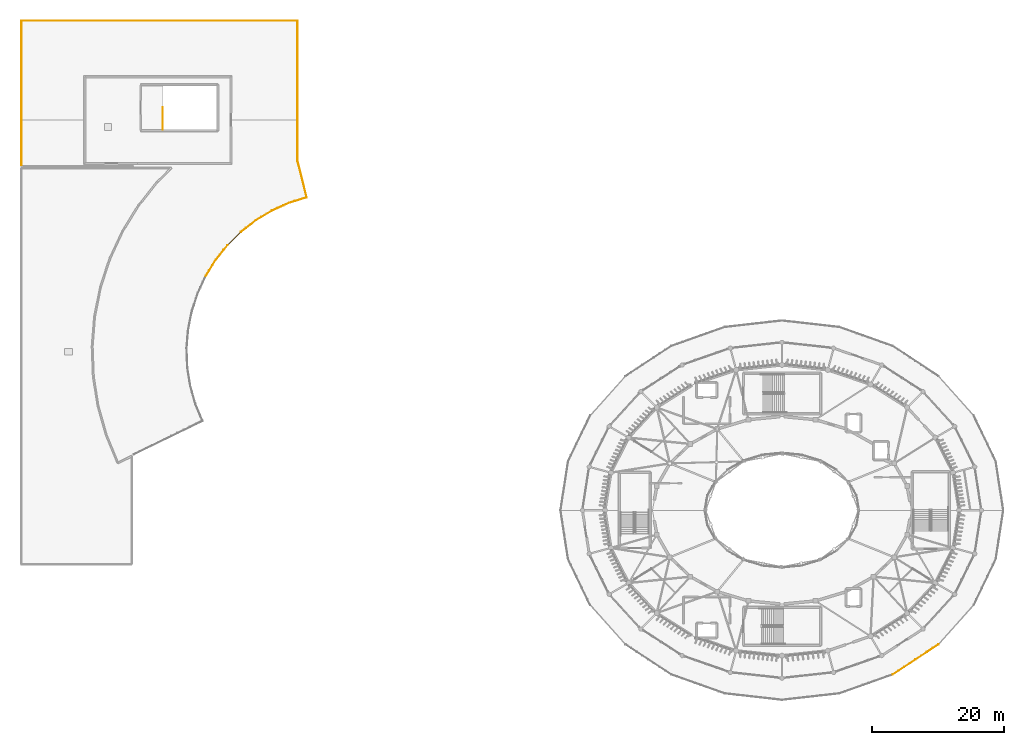
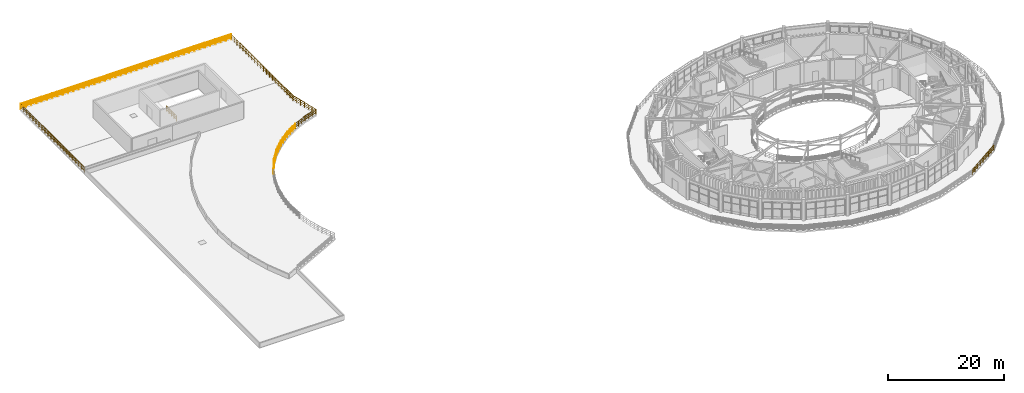
# One storey, part 43 of 45: 13 railings.
"""IFC4 building model written with IfcOpenShell, lengths in metres."""

from ifc_helpers import new_model, si_unit, direction, frame, origin, origin_2d, place, context, subcontext, project, spatial, circle, extrude, material, type_object, element, save


model = new_model("IFC4")

# Units and contexts
model_context = context("Model", 3, precision=1e-05, world=origin(), true_north=direction((0.0, 1.0)))
body_context = subcontext(model_context, "Body", "Model", "MODEL_VIEW")
ifc_project = project(units=[si_unit("LENGTHUNIT", "METRE"), si_unit("AREAUNIT", "SQUARE_METRE"), si_unit("VOLUMEUNIT", "CUBIC_METRE"), si_unit("PLANEANGLEUNIT", "RADIAN"), si_unit("MASSUNIT", "GRAM", prefix="KILO")], contexts=[model_context])

# Site, building, storey
site_placement = place(None, origin())
site = spatial("IfcSite", under=ifc_project, at=site_placement, CompositionType="ELEMENT")
building_placement = place(site_placement, origin())
building = spatial("IfcBuilding", under=site, at=building_placement, Name="Cinderbank Siding Concert Hall", CompositionType="ELEMENT")
storey_placement = place(building_placement, frame((0.0, 0.0, 19.199951171875)))
storey = spatial("IfcBuildingStorey", under=building, at=storey_placement, Name="L05", CompositionType="ELEMENT", Elevation=19.199951171875)

# Railings
ifc_material = material(Name="Structural steel AS/NZS 3679.1 Grade 350 (340 MPa)", Category="steel")
railing_type_1 = type_object("IfcRailingType", Name="GD-01 Terrace & Perimeter Guardrail 1120mm", PredefinedType="GUARDRAIL", material=ifc_material)
railing_1_placement = place(storey_placement, frame((145.693115234375, 23.711669921875, 0.0)))
element("IfcRailing", 1, at=railing_1_placement, inside=storey, type_object=railing_type_1, Name="L05 Perimeter Guardrail #110", PredefinedType="GUARDRAIL", context=body_context, shape_type="SweptSolid", body=[
    extrude(circle(Radius=0.02392578125, at=origin_2d()), frame((0.0, 0.0, 1.09619140625), z_axis=(-0.835498780088, -0.549492300649, 0.0), x_axis=(0.549492300649, -0.835498780088, 0.0)), (0.0, 0.0, 1.0), 8.303955078125),
    extrude(circle(Radius=0.01611328125, at=origin_2d()), frame((0.0, 0.0, 0.36962890625), z_axis=(-0.835498780088, -0.549492300649, 0.0), x_axis=(0.549492300649, -0.835498780088, 0.0)), (0.0, 0.0, 1.0), 8.303955078125),
    extrude(circle(Radius=0.01611328125, at=origin_2d()), frame((0.0, 0.0, 0.7392578125), z_axis=(-0.835498780088, -0.549492300649, 0.0), x_axis=(0.549492300649, -0.835498780088, 0.0)), (0.0, 0.0, 1.0), 8.303955078125),
    extrude(circle(Radius=0.02099609375, at=origin_2d()), origin(), (0.0, 0.0, 1.0), 1.072021484375),
    extrude(circle(Radius=0.02099609375, at=origin_2d()), frame((-0.8671875, -0.5703125, 0.0)), (0.0, 0.0, 1.0), 1.072021484375),
    extrude(circle(Radius=0.02099609375, at=origin_2d()), frame((-1.734375, -1.140625, 0.0)), (0.0, 0.0, 1.0), 1.072021484375),
    extrude(circle(Radius=0.02099609375, at=origin_2d()), frame((-2.601806640625, -1.711181640625, 0.0)), (0.0, 0.0, 1.0), 1.072021484375),
    extrude(circle(Radius=0.02099609375, at=origin_2d()), frame((-3.468994140625, -2.281494140625, 0.0)), (0.0, 0.0, 1.0), 1.072021484375),
    extrude(circle(Radius=0.02099609375, at=origin_2d()), frame((-4.336181640625, -2.851806640625, 0.0)), (0.0, 0.0, 1.0), 1.072021484375),
    extrude(circle(Radius=0.02099609375, at=origin_2d()), frame((-5.20361328125, -3.42236328125, 0.0)), (0.0, 0.0, 1.0), 1.072021484375),
    extrude(circle(Radius=0.02099609375, at=origin_2d()), frame((-6.07080078125, -3.99267578125, 0.0)), (0.0, 0.0, 1.0), 1.072021484375),
    extrude(circle(Radius=0.02099609375, at=origin_2d()), frame((-6.93798828125, -4.56298828125, 0.0)), (0.0, 0.0, 1.0), 1.072021484375),
])
railing_2_placement = place(storey_placement, frame((6.89990234375, 118.10009765625, 0.0)))
element("IfcRailing", 2, at=railing_2_placement, inside=storey, type_object=railing_type_1, Name="L05 Perimeter Guardrail #119", PredefinedType="GUARDRAIL", context=body_context, shape_type="SweptSolid", body=[
    extrude(circle(Radius=0.02392578125, at=origin_2d()), frame((0.0, 0.0, 1.09619140625), z_axis=(1.0, 0.0, 0.0), x_axis=(0.0, 1.0, 0.0)), (0.0, 0.0, 1.0), 41.800048828125),
    extrude(circle(Radius=0.01611328125, at=origin_2d()), frame((0.0, 0.0, 0.36962890625), z_axis=(1.0, 0.0, 0.0), x_axis=(0.0, 1.0, 0.0)), (0.0, 0.0, 1.0), 41.800048828125),
    extrude(circle(Radius=0.01611328125, at=origin_2d()), frame((0.0, 0.0, 0.7392578125), z_axis=(1.0, 0.0, 0.0), x_axis=(0.0, 1.0, 0.0)), (0.0, 0.0, 1.0), 41.800048828125),
    extrude(circle(Radius=0.02099609375, at=origin_2d()), origin(), (0.0, 0.0, 1.0), 1.072021484375),
    extrude(circle(Radius=0.02099609375, at=origin_2d()), frame((1.044921875, 0.0, 0.0)), (0.0, 0.0, 1.0), 1.072021484375),
    extrude(circle(Radius=0.02099609375, at=origin_2d()), frame((2.090087890625, 0.0, 0.0)), (0.0, 0.0, 1.0), 1.072021484375),
    extrude(circle(Radius=0.02099609375, at=origin_2d()), frame((3.135009765625, 0.0, 0.0)), (0.0, 0.0, 1.0), 1.072021484375),
    extrude(circle(Radius=0.02099609375, at=origin_2d()), frame((4.179931640625, 0.0, 0.0)), (0.0, 0.0, 1.0), 1.072021484375),
    extrude(circle(Radius=0.02099609375, at=origin_2d()), frame((5.22509765625, 0.0, 0.0)), (0.0, 0.0, 1.0), 1.072021484375),
    extrude(circle(Radius=0.02099609375, at=origin_2d()), frame((6.27001953125, 0.0, 0.0)), (0.0, 0.0, 1.0), 1.072021484375),
    extrude(circle(Radius=0.02099609375, at=origin_2d()), frame((7.31494140625, 0.0, 0.0)), (0.0, 0.0, 1.0), 1.072021484375),
    extrude(circle(Radius=0.02099609375, at=origin_2d()), frame((8.360107421875, 0.0, 0.0)), (0.0, 0.0, 1.0), 1.072021484375),
    extrude(circle(Radius=0.02099609375, at=origin_2d()), frame((9.405029296875, 0.0, 0.0)), (0.0, 0.0, 1.0), 1.072021484375),
    extrude(circle(Radius=0.02099609375, at=origin_2d()), frame((10.449951171875, 0.0, 0.0)), (0.0, 0.0, 1.0), 1.072021484375),
    extrude(circle(Radius=0.02099609375, at=origin_2d()), frame((11.4951171875, 0.0, 0.0)), (0.0, 0.0, 1.0), 1.072021484375),
    extrude(circle(Radius=0.02099609375, at=origin_2d()), frame((12.5400390625, 0.0, 0.0)), (0.0, 0.0, 1.0), 1.072021484375),
    extrude(circle(Radius=0.02099609375, at=origin_2d()), frame((13.5849609375, 0.0, 0.0)), (0.0, 0.0, 1.0), 1.072021484375),
    extrude(circle(Radius=0.02099609375, at=origin_2d()), frame((14.630126953125, 0.0, 0.0)), (0.0, 0.0, 1.0), 1.072021484375),
    extrude(circle(Radius=0.02099609375, at=origin_2d()), frame((15.675048828125, 0.0, 0.0)), (0.0, 0.0, 1.0), 1.072021484375),
    extrude(circle(Radius=0.02099609375, at=origin_2d()), frame((16.719970703125, 0.0, 0.0)), (0.0, 0.0, 1.0), 1.072021484375),
    extrude(circle(Radius=0.02099609375, at=origin_2d()), frame((17.76513671875, 0.0, 0.0)), (0.0, 0.0, 1.0), 1.072021484375),
    extrude(circle(Radius=0.02099609375, at=origin_2d()), frame((18.81005859375, 0.0, 0.0)), (0.0, 0.0, 1.0), 1.072021484375),
    extrude(circle(Radius=0.02099609375, at=origin_2d()), frame((19.85498046875, 0.0, 0.0)), (0.0, 0.0, 1.0), 1.072021484375),
    extrude(circle(Radius=0.02099609375, at=origin_2d()), frame((20.89990234375, 0.0, 0.0)), (0.0, 0.0, 1.0), 1.072021484375),
    extrude(circle(Radius=0.02099609375, at=origin_2d()), frame((21.945068359375, 0.0, 0.0)), (0.0, 0.0, 1.0), 1.072021484375),
    extrude(circle(Radius=0.02099609375, at=origin_2d()), frame((22.989990234375, 0.0, 0.0)), (0.0, 0.0, 1.0), 1.072021484375),
    extrude(circle(Radius=0.02099609375, at=origin_2d()), frame((24.034912109375, 0.0, 0.0)), (0.0, 0.0, 1.0), 1.072021484375),
    extrude(circle(Radius=0.02099609375, at=origin_2d()), frame((25.080078125, 0.0, 0.0)), (0.0, 0.0, 1.0), 1.072021484375),
    extrude(circle(Radius=0.02099609375, at=origin_2d()), frame((26.125, 0.0, 0.0)), (0.0, 0.0, 1.0), 1.072021484375),
    extrude(circle(Radius=0.02099609375, at=origin_2d()), frame((27.169921875, 0.0, 0.0)), (0.0, 0.0, 1.0), 1.072021484375),
    extrude(circle(Radius=0.02099609375, at=origin_2d()), frame((28.215087890625, 0.0, 0.0)), (0.0, 0.0, 1.0), 1.072021484375),
    extrude(circle(Radius=0.02099609375, at=origin_2d()), frame((29.260009765625, 0.0, 0.0)), (0.0, 0.0, 1.0), 1.072021484375),
    extrude(circle(Radius=0.02099609375, at=origin_2d()), frame((30.304931640625, 0.0, 0.0)), (0.0, 0.0, 1.0), 1.072021484375),
    extrude(circle(Radius=0.02099609375, at=origin_2d()), frame((31.35009765625, 0.0, 0.0)), (0.0, 0.0, 1.0), 1.072021484375),
    extrude(circle(Radius=0.02099609375, at=origin_2d()), frame((32.39501953125, 0.0, 0.0)), (0.0, 0.0, 1.0), 1.072021484375),
    extrude(circle(Radius=0.02099609375, at=origin_2d()), frame((33.43994140625, 0.0, 0.0)), (0.0, 0.0, 1.0), 1.072021484375),
    extrude(circle(Radius=0.02099609375, at=origin_2d()), frame((34.485107421875, 0.0, 0.0)), (0.0, 0.0, 1.0), 1.072021484375),
    extrude(circle(Radius=0.02099609375, at=origin_2d()), frame((35.530029296875, 0.0, 0.0)), (0.0, 0.0, 1.0), 1.072021484375),
    extrude(circle(Radius=0.02099609375, at=origin_2d()), frame((36.574951171875, 0.0, 0.0)), (0.0, 0.0, 1.0), 1.072021484375),
    extrude(circle(Radius=0.02099609375, at=origin_2d()), frame((37.6201171875, 0.0, 0.0)), (0.0, 0.0, 1.0), 1.072021484375),
    extrude(circle(Radius=0.02099609375, at=origin_2d()), frame((38.6650390625, 0.0, 0.0)), (0.0, 0.0, 1.0), 1.072021484375),
    extrude(circle(Radius=0.02099609375, at=origin_2d()), frame((39.7099609375, 0.0, 0.0)), (0.0, 0.0, 1.0), 1.072021484375),
    extrude(circle(Radius=0.02099609375, at=origin_2d()), frame((40.755126953125, 0.0, 0.0)), (0.0, 0.0, 1.0), 1.072021484375),
    extrude(circle(Radius=0.02099609375, at=origin_2d()), frame((41.800048828125, 0.0, 0.0)), (0.0, 0.0, 1.0), 1.072021484375),
])
railing_3_placement = place(storey_placement, frame((48.699951171875, 118.10009765625, 0.0)))
element("IfcRailing", 3, at=railing_3_placement, inside=storey, type_object=railing_type_1, Name="L05 Perimeter Guardrail #120", PredefinedType="GUARDRAIL", context=body_context, shape_type="SweptSolid", body=[
    extrude(circle(Radius=0.02392578125, at=origin_2d()), frame((0.0, 0.0, 1.09619140625), z_axis=(0.0, -1.0, 0.0), x_axis=(1.0, 0.0, 0.0)), (0.0, 0.0, 1.0), 21.234619140625),
    extrude(circle(Radius=0.01611328125, at=origin_2d()), frame((0.0, 0.0, 0.36962890625), z_axis=(0.0, -1.0, 0.0), x_axis=(1.0, 0.0, 0.0)), (0.0, 0.0, 1.0), 21.234619140625),
    extrude(circle(Radius=0.01611328125, at=origin_2d()), frame((0.0, 0.0, 0.7392578125), z_axis=(0.0, -1.0, 0.0), x_axis=(1.0, 0.0, 0.0)), (0.0, 0.0, 1.0), 21.234619140625),
    extrude(circle(Radius=0.02099609375, at=origin_2d()), origin(), (0.0, 0.0, 1.0), 1.072021484375),
    extrude(circle(Radius=0.02099609375, at=origin_2d()), frame((0.0, -1.01123046875, 0.0)), (0.0, 0.0, 1.0), 1.072021484375),
    extrude(circle(Radius=0.02099609375, at=origin_2d()), frame((0.0, -2.0224609375, 0.0)), (0.0, 0.0, 1.0), 1.072021484375),
    extrude(circle(Radius=0.02099609375, at=origin_2d()), frame((0.0, -3.033447265625, 0.0)), (0.0, 0.0, 1.0), 1.072021484375),
    extrude(circle(Radius=0.02099609375, at=origin_2d()), frame((0.0, -4.044677734375, 0.0)), (0.0, 0.0, 1.0), 1.072021484375),
    extrude(circle(Radius=0.02099609375, at=origin_2d()), frame((0.0, -5.055908203125, 0.0)), (0.0, 0.0, 1.0), 1.072021484375),
    extrude(circle(Radius=0.02099609375, at=origin_2d()), frame((0.0, -6.067138671875, 0.0)), (0.0, 0.0, 1.0), 1.072021484375),
    extrude(circle(Radius=0.02099609375, at=origin_2d()), frame((0.0, -7.078125, 0.0)), (0.0, 0.0, 1.0), 1.072021484375),
    extrude(circle(Radius=0.02099609375, at=origin_2d()), frame((0.0, -8.08935546875, 0.0)), (0.0, 0.0, 1.0), 1.072021484375),
    extrude(circle(Radius=0.02099609375, at=origin_2d()), frame((0.0, -9.1005859375, 0.0)), (0.0, 0.0, 1.0), 1.072021484375),
    extrude(circle(Radius=0.02099609375, at=origin_2d()), frame((0.0, -10.11181640625, 0.0)), (0.0, 0.0, 1.0), 1.072021484375),
    extrude(circle(Radius=0.02099609375, at=origin_2d()), frame((0.0, -11.122802734375, 0.0)), (0.0, 0.0, 1.0), 1.072021484375),
    extrude(circle(Radius=0.02099609375, at=origin_2d()), frame((0.0, -12.134033203125, 0.0)), (0.0, 0.0, 1.0), 1.072021484375),
    extrude(circle(Radius=0.02099609375, at=origin_2d()), frame((0.0, -13.145263671875, 0.0)), (0.0, 0.0, 1.0), 1.072021484375),
    extrude(circle(Radius=0.02099609375, at=origin_2d()), frame((0.0, -14.156494140625, 0.0)), (0.0, 0.0, 1.0), 1.072021484375),
    extrude(circle(Radius=0.02099609375, at=origin_2d()), frame((0.0, -15.16748046875, 0.0)), (0.0, 0.0, 1.0), 1.072021484375),
    extrude(circle(Radius=0.02099609375, at=origin_2d()), frame((0.0, -16.1787109375, 0.0)), (0.0, 0.0, 1.0), 1.072021484375),
    extrude(circle(Radius=0.02099609375, at=origin_2d()), frame((0.0, -17.18994140625, 0.0)), (0.0, 0.0, 1.0), 1.072021484375),
    extrude(circle(Radius=0.02099609375, at=origin_2d()), frame((0.0, -18.201171875, 0.0)), (0.0, 0.0, 1.0), 1.072021484375),
    extrude(circle(Radius=0.02099609375, at=origin_2d()), frame((0.0, -19.212158203125, 0.0)), (0.0, 0.0, 1.0), 1.072021484375),
    extrude(circle(Radius=0.02099609375, at=origin_2d()), frame((0.0, -20.223388671875, 0.0)), (0.0, 0.0, 1.0), 1.072021484375),
    extrude(circle(Radius=0.02099609375, at=origin_2d()), frame((0.0, -21.234619140625, 0.0)), (0.0, 0.0, 1.0), 1.072021484375),
])
railing_4_placement = place(storey_placement, frame((48.699951171875, 96.865478515625, 0.0)))
element("IfcRailing", 4, at=railing_4_placement, inside=storey, type_object=railing_type_1, Name="L05 Perimeter Guardrail #121", PredefinedType="GUARDRAIL", context=body_context, shape_type="SweptSolid", body=[
    extrude(circle(Radius=0.02392578125, at=origin_2d()), frame((0.0, 0.0, 1.09619140625), z_axis=(0.241948994779, -0.97028896929, 0.0), x_axis=(0.97028896929, 0.241948994779, 0.0)), (0.0, 0.0, 1.0), 5.679931640625),
    extrude(circle(Radius=0.01611328125, at=origin_2d()), frame((0.0, 0.0, 0.36962890625), z_axis=(0.241948994779, -0.97028896929, 0.0), x_axis=(0.97028896929, 0.241948994779, 0.0)), (0.0, 0.0, 1.0), 5.679931640625),
    extrude(circle(Radius=0.01611328125, at=origin_2d()), frame((0.0, 0.0, 0.7392578125), z_axis=(0.241948994779, -0.97028896929, 0.0), x_axis=(0.97028896929, 0.241948994779, 0.0)), (0.0, 0.0, 1.0), 5.679931640625),
    extrude(circle(Radius=0.02099609375, at=origin_2d()), origin(), (0.0, 0.0, 1.0), 1.072021484375),
    extrude(circle(Radius=0.02099609375, at=origin_2d()), frame((0.22900390625, -0.91845703125, 0.0)), (0.0, 0.0, 1.0), 1.072021484375),
    extrude(circle(Radius=0.02099609375, at=origin_2d()), frame((0.4580078125, -1.837158203125, 0.0)), (0.0, 0.0, 1.0), 1.072021484375),
    extrude(circle(Radius=0.02099609375, at=origin_2d()), frame((0.68701171875, -2.755615234375, 0.0)), (0.0, 0.0, 1.0), 1.072021484375),
    extrude(circle(Radius=0.02099609375, at=origin_2d()), frame((0.916259765625, -3.674072265625, 0.0)), (0.0, 0.0, 1.0), 1.072021484375),
    extrude(circle(Radius=0.02099609375, at=origin_2d()), frame((1.145263671875, -4.5927734375, 0.0)), (0.0, 0.0, 1.0), 1.072021484375),
    extrude(circle(Radius=0.02099609375, at=origin_2d()), frame((1.374267578125, -5.51123046875, 0.0)), (0.0, 0.0, 1.0), 1.072021484375),
])
railing_5_placement = place(storey_placement, frame((50.07421875, 91.354248046875, 0.0)))
element("IfcRailing", 5, at=railing_5_placement, inside=storey, type_object=railing_type_1, Name="L05 Perimeter Guardrail #122", PredefinedType="GUARDRAIL", context=body_context, shape_type="SweptSolid", body=[
    extrude(circle(Radius=0.02392578125, at=origin_2d()), frame((0.0, 0.0, 1.09619140625), z_axis=(-0.954237145986, -0.299050947532, 0.0), x_axis=(0.299050947532, -0.954237145986, 0.0)), (0.0, 0.0, 1.0), 2.758544921875),
    extrude(circle(Radius=0.01611328125, at=origin_2d()), frame((0.0, 0.0, 0.36962890625), z_axis=(-0.954237145986, -0.299050947532, 0.0), x_axis=(0.299050947532, -0.954237145986, 0.0)), (0.0, 0.0, 1.0), 2.758544921875),
    extrude(circle(Radius=0.01611328125, at=origin_2d()), frame((0.0, 0.0, 0.7392578125), z_axis=(-0.954237145986, -0.299050947532, 0.0), x_axis=(0.299050947532, -0.954237145986, 0.0)), (0.0, 0.0, 1.0), 2.758544921875),
    extrude(circle(Radius=0.02099609375, at=origin_2d()), origin(), (0.0, 0.0, 1.0), 1.072021484375),
    extrude(circle(Radius=0.02099609375, at=origin_2d()), frame((-0.87744140625, -0.27490234375, 0.0)), (0.0, 0.0, 1.0), 1.072021484375),
    extrude(circle(Radius=0.02099609375, at=origin_2d()), frame((-1.7548828125, -0.550048828125, 0.0)), (0.0, 0.0, 1.0), 1.072021484375),
    extrude(circle(Radius=0.02099609375, at=origin_2d()), frame((-2.63232421875, -0.824951171875, 0.0)), (0.0, 0.0, 1.0), 1.072021484375),
])
railing_6_placement = place(storey_placement, frame((47.44189453125, 90.529296875, 0.0)))
element("IfcRailing", 6, at=railing_6_placement, inside=storey, type_object=railing_type_1, Name="L05 Perimeter Guardrail #123", PredefinedType="GUARDRAIL", context=body_context, shape_type="SweptSolid", body=[
    extrude(circle(Radius=0.02392578125, at=origin_2d()), frame((0.0, 0.0, 1.09619140625), z_axis=(-0.912145096517, -0.409867445523, 0.0), x_axis=(0.409867445523, -0.912145096517, 0.0)), (0.0, 0.0, 1.0), 2.858642578125),
    extrude(circle(Radius=0.01611328125, at=origin_2d()), frame((0.0, 0.0, 0.36962890625), z_axis=(-0.912145096517, -0.409867445523, 0.0), x_axis=(0.409867445523, -0.912145096517, 0.0)), (0.0, 0.0, 1.0), 2.858642578125),
    extrude(circle(Radius=0.01611328125, at=origin_2d()), frame((0.0, 0.0, 0.7392578125), z_axis=(-0.912145096517, -0.409867445523, 0.0), x_axis=(0.409867445523, -0.912145096517, 0.0)), (0.0, 0.0, 1.0), 2.858642578125),
    extrude(circle(Radius=0.02099609375, at=origin_2d()), origin(), (0.0, 0.0, 1.0), 1.072021484375),
    extrude(circle(Radius=0.02099609375, at=origin_2d()), frame((-0.869140625, -0.390625, 0.0)), (0.0, 0.0, 1.0), 1.072021484375),
    extrude(circle(Radius=0.02099609375, at=origin_2d()), frame((-1.73828125, -0.781005859375, 0.0)), (0.0, 0.0, 1.0), 1.072021484375),
    extrude(circle(Radius=0.02099609375, at=origin_2d()), frame((-2.607421875, -1.171630859375, 0.0)), (0.0, 0.0, 1.0), 1.072021484375),
])
railing_7_placement = place(storey_placement, frame((44.83447265625, 89.357666015625, 0.0)))
element("IfcRailing", 7, at=railing_7_placement, inside=storey, type_object=railing_type_1, Name="L05 Perimeter Guardrail #124", PredefinedType="GUARDRAIL", context=body_context, shape_type="SweptSolid", body=[
    extrude(circle(Radius=0.02392578125, at=origin_2d()), frame((0.0, 0.0, 1.09619140625), z_axis=(-0.857176243483, -0.515023191331, 0.0), x_axis=(0.515023191331, -0.857176243483, 0.0)), (0.0, 0.0, 1.0), 2.8583984375),
    extrude(circle(Radius=0.01611328125, at=origin_2d()), frame((0.0, 0.0, 0.36962890625), z_axis=(-0.857176243483, -0.515023191331, 0.0), x_axis=(0.515023191331, -0.857176243483, 0.0)), (0.0, 0.0, 1.0), 2.8583984375),
    extrude(circle(Radius=0.01611328125, at=origin_2d()), frame((0.0, 0.0, 0.7392578125), z_axis=(-0.857176243483, -0.515023191331, 0.0), x_axis=(0.515023191331, -0.857176243483, 0.0)), (0.0, 0.0, 1.0), 2.8583984375),
    extrude(circle(Radius=0.02099609375, at=origin_2d()), origin(), (0.0, 0.0, 1.0), 1.072021484375),
    extrude(circle(Radius=0.02099609375, at=origin_2d()), frame((-0.816650390625, -0.49072265625, 0.0)), (0.0, 0.0, 1.0), 1.072021484375),
    extrude(circle(Radius=0.02099609375, at=origin_2d()), frame((-1.633544921875, -0.9814453125, 0.0)), (0.0, 0.0, 1.0), 1.072021484375),
    extrude(circle(Radius=0.02099609375, at=origin_2d()), frame((-2.4501953125, -1.47216796875, 0.0)), (0.0, 0.0, 1.0), 1.072021484375),
])
railing_8_placement = place(storey_placement, frame((42.38427734375, 87.885498046875, 0.0)))
element("IfcRailing", 8, at=railing_8_placement, inside=storey, type_object=railing_type_1, Name="L05 Perimeter Guardrail #125", PredefinedType="GUARDRAIL", context=body_context, shape_type="SweptSolid", body=[
    extrude(circle(Radius=0.02392578125, at=origin_2d()), frame((0.0, 0.0, 1.09619140625), z_axis=(-0.790137923864, -0.612929083395, 0.0), x_axis=(0.612929083395, -0.790137923864, 0.0)), (0.0, 0.0, 1.0), 2.858642578125),
    extrude(circle(Radius=0.01611328125, at=origin_2d()), frame((0.0, 0.0, 0.36962890625), z_axis=(-0.790137923864, -0.612929083395, 0.0), x_axis=(0.612929083395, -0.790137923864, 0.0)), (0.0, 0.0, 1.0), 2.858642578125),
    extrude(circle(Radius=0.01611328125, at=origin_2d()), frame((0.0, 0.0, 0.7392578125), z_axis=(-0.790137923864, -0.612929083395, 0.0), x_axis=(0.612929083395, -0.790137923864, 0.0)), (0.0, 0.0, 1.0), 2.858642578125),
    extrude(circle(Radius=0.02099609375, at=origin_2d()), origin(), (0.0, 0.0, 1.0), 1.072021484375),
    extrude(circle(Radius=0.02099609375, at=origin_2d()), frame((-0.7529296875, -0.583984375, 0.0)), (0.0, 0.0, 1.0), 1.072021484375),
    extrude(circle(Radius=0.02099609375, at=origin_2d()), frame((-1.505859375, -1.168212890625, 0.0)), (0.0, 0.0, 1.0), 1.072021484375),
    extrude(circle(Radius=0.02099609375, at=origin_2d()), frame((-2.2587890625, -1.752197265625, 0.0)), (0.0, 0.0, 1.0), 1.072021484375),
])
railing_9_placement = place(storey_placement, frame((40.12548828125, 86.13330078125, 0.0)))
element("IfcRailing", 9, at=railing_9_placement, inside=storey, type_object=railing_type_1, Name="L05 Perimeter Guardrail #126", PredefinedType="GUARDRAIL", context=body_context, shape_type="SweptSolid", body=[
    extrude(circle(Radius=0.02392578125, at=origin_2d()), frame((0.0, 0.0, 1.09619140625), z_axis=(-0.712043069762, -0.702135789434, 0.0), x_axis=(0.702135789434, -0.712043069762, 0.0)), (0.0, 0.0, 1.0), 2.858642578125),
    extrude(circle(Radius=0.01611328125, at=origin_2d()), frame((0.0, 0.0, 0.36962890625), z_axis=(-0.712043069762, -0.702135789434, 0.0), x_axis=(0.702135789434, -0.712043069762, 0.0)), (0.0, 0.0, 1.0), 2.858642578125),
    extrude(circle(Radius=0.01611328125, at=origin_2d()), frame((0.0, 0.0, 0.7392578125), z_axis=(-0.712043069762, -0.702135789434, 0.0), x_axis=(0.702135789434, -0.712043069762, 0.0)), (0.0, 0.0, 1.0), 2.858642578125),
    extrude(circle(Radius=0.02099609375, at=origin_2d()), origin(), (0.0, 0.0, 1.0), 1.072021484375),
    extrude(circle(Radius=0.02099609375, at=origin_2d()), frame((-0.678466796875, -0.6689453125, 0.0)), (0.0, 0.0, 1.0), 1.072021484375),
    extrude(circle(Radius=0.02099609375, at=origin_2d()), frame((-1.35693359375, -1.338134765625, 0.0)), (0.0, 0.0, 1.0), 1.072021484375),
    extrude(circle(Radius=0.02099609375, at=origin_2d()), frame((-2.035400390625, -2.007080078125, 0.0)), (0.0, 0.0, 1.0), 1.072021484375),
])
railing_10_placement = place(storey_placement, frame((38.090087890625, 84.126220703125, 0.0)))
element("IfcRailing", 10, at=railing_10_placement, inside=storey, type_object=railing_type_1, Name="L05 Perimeter Guardrail #127", PredefinedType="GUARDRAIL", context=body_context, shape_type="SweptSolid", body=[
    extrude(circle(Radius=0.02392578125, at=origin_2d()), frame((0.0, 0.0, 1.09619140625), z_axis=(-0.623871911818, -0.781526607125, 0.0), x_axis=(0.781526607125, -0.623871911818, 0.0)), (0.0, 0.0, 1.0), 2.858642578125),
    extrude(circle(Radius=0.01611328125, at=origin_2d()), frame((0.0, 0.0, 0.36962890625), z_axis=(-0.623871911818, -0.781526607125, 0.0), x_axis=(0.781526607125, -0.623871911818, 0.0)), (0.0, 0.0, 1.0), 2.858642578125),
    extrude(circle(Radius=0.01611328125, at=origin_2d()), frame((0.0, 0.0, 0.7392578125), z_axis=(-0.623871911818, -0.781526607125, 0.0), x_axis=(0.781526607125, -0.623871911818, 0.0)), (0.0, 0.0, 1.0), 2.858642578125),
    extrude(circle(Radius=0.02099609375, at=origin_2d()), origin(), (0.0, 0.0, 1.0), 1.072021484375),
    extrude(circle(Radius=0.02099609375, at=origin_2d()), frame((-0.594482421875, -0.74462890625, 0.0)), (0.0, 0.0, 1.0), 1.072021484375),
    extrude(circle(Radius=0.02099609375, at=origin_2d()), frame((-1.18896484375, -1.489501953125, 0.0)), (0.0, 0.0, 1.0), 1.072021484375),
    extrude(circle(Radius=0.02099609375, at=origin_2d()), frame((-1.783447265625, -2.234130859375, 0.0)), (0.0, 0.0, 1.0), 1.072021484375),
])
railing_11_placement = place(storey_placement, frame((36.306640625, 81.89208984375, 0.0)))
element("IfcRailing", 11, at=railing_11_placement, inside=storey, type_object=railing_type_1, Name="L05 Perimeter Guardrail #128", PredefinedType="GUARDRAIL", context=body_context, shape_type="SweptSolid", body=[
    extrude(circle(Radius=0.02392578125, at=origin_2d()), frame((0.0, 0.0, 1.09619140625), z_axis=(-0.52696311187, -0.8498881566, 0.0), x_axis=(0.8498881566, -0.52696311187, 0.0)), (0.0, 0.0, 1.0), 2.858642578125),
    extrude(circle(Radius=0.01611328125, at=origin_2d()), frame((0.0, 0.0, 0.36962890625), z_axis=(-0.52696311187, -0.8498881566, 0.0), x_axis=(0.8498881566, -0.52696311187, 0.0)), (0.0, 0.0, 1.0), 2.858642578125),
    extrude(circle(Radius=0.01611328125, at=origin_2d()), frame((0.0, 0.0, 0.7392578125), z_axis=(-0.52696311187, -0.8498881566, 0.0), x_axis=(0.8498881566, -0.52696311187, 0.0)), (0.0, 0.0, 1.0), 2.858642578125),
    extrude(circle(Radius=0.02099609375, at=origin_2d()), origin(), (0.0, 0.0, 1.0), 1.072021484375),
    extrude(circle(Radius=0.02099609375, at=origin_2d()), frame((-0.502197265625, -0.809814453125, 0.0)), (0.0, 0.0, 1.0), 1.072021484375),
    extrude(circle(Radius=0.02099609375, at=origin_2d()), frame((-1.004150390625, -1.61962890625, 0.0)), (0.0, 0.0, 1.0), 1.072021484375),
    extrude(circle(Radius=0.02099609375, at=origin_2d()), frame((-1.50634765625, -2.429443359375, 0.0)), (0.0, 0.0, 1.0), 1.072021484375),
])
railing_12_placement = place(storey_placement, frame((6.89990234375, 96.219970703125, 0.0)))
element("IfcRailing", 12, at=railing_12_placement, inside=storey, type_object=railing_type_1, Name="L05 Perimeter Guardrail #138", PredefinedType="GUARDRAIL", context=body_context, shape_type="SweptSolid", body=[
    extrude(circle(Radius=0.02392578125, at=origin_2d()), frame((0.0, 0.0, 1.09619140625), z_axis=(0.0, 1.0, 0.0), x_axis=(-1.0, 0.0, 0.0)), (0.0, 0.0, 1.0), 21.880126953125),
    extrude(circle(Radius=0.01611328125, at=origin_2d()), frame((0.0, 0.0, 0.36962890625), z_axis=(0.0, 1.0, 0.0), x_axis=(-1.0, 0.0, 0.0)), (0.0, 0.0, 1.0), 21.880126953125),
    extrude(circle(Radius=0.01611328125, at=origin_2d()), frame((0.0, 0.0, 0.7392578125), z_axis=(0.0, 1.0, 0.0), x_axis=(-1.0, 0.0, 0.0)), (0.0, 0.0, 1.0), 21.880126953125),
    extrude(circle(Radius=0.02099609375, at=origin_2d()), origin(), (0.0, 0.0, 1.0), 1.072021484375),
    extrude(circle(Radius=0.02099609375, at=origin_2d()), frame((0.0, 1.0419921875, 0.0)), (0.0, 0.0, 1.0), 1.072021484375),
    extrude(circle(Radius=0.02099609375, at=origin_2d()), frame((0.0, 2.083740234375, 0.0)), (0.0, 0.0, 1.0), 1.072021484375),
    extrude(circle(Radius=0.02099609375, at=origin_2d()), frame((0.0, 3.125732421875, 0.0)), (0.0, 0.0, 1.0), 1.072021484375),
    extrude(circle(Radius=0.02099609375, at=origin_2d()), frame((0.0, 4.167724609375, 0.0)), (0.0, 0.0, 1.0), 1.072021484375),
    extrude(circle(Radius=0.02099609375, at=origin_2d()), frame((0.0, 5.20947265625, 0.0)), (0.0, 0.0, 1.0), 1.072021484375),
    extrude(circle(Radius=0.02099609375, at=origin_2d()), frame((0.0, 6.25146484375, 0.0)), (0.0, 0.0, 1.0), 1.072021484375),
    extrude(circle(Radius=0.02099609375, at=origin_2d()), frame((0.0, 7.29345703125, 0.0)), (0.0, 0.0, 1.0), 1.072021484375),
    extrude(circle(Radius=0.02099609375, at=origin_2d()), frame((0.0, 8.335205078125, 0.0)), (0.0, 0.0, 1.0), 1.072021484375),
    extrude(circle(Radius=0.02099609375, at=origin_2d()), frame((0.0, 9.377197265625, 0.0)), (0.0, 0.0, 1.0), 1.072021484375),
    extrude(circle(Radius=0.02099609375, at=origin_2d()), frame((0.0, 10.419189453125, 0.0)), (0.0, 0.0, 1.0), 1.072021484375),
    extrude(circle(Radius=0.02099609375, at=origin_2d()), frame((0.0, 11.4609375, 0.0)), (0.0, 0.0, 1.0), 1.072021484375),
    extrude(circle(Radius=0.02099609375, at=origin_2d()), frame((0.0, 12.5029296875, 0.0)), (0.0, 0.0, 1.0), 1.072021484375),
    extrude(circle(Radius=0.02099609375, at=origin_2d()), frame((0.0, 13.544921875, 0.0)), (0.0, 0.0, 1.0), 1.072021484375),
    extrude(circle(Radius=0.02099609375, at=origin_2d()), frame((0.0, 14.586669921875, 0.0)), (0.0, 0.0, 1.0), 1.072021484375),
    extrude(circle(Radius=0.02099609375, at=origin_2d()), frame((0.0, 15.628662109375, 0.0)), (0.0, 0.0, 1.0), 1.072021484375),
    extrude(circle(Radius=0.02099609375, at=origin_2d()), frame((0.0, 16.670654296875, 0.0)), (0.0, 0.0, 1.0), 1.072021484375),
    extrude(circle(Radius=0.02099609375, at=origin_2d()), frame((0.0, 17.71240234375, 0.0)), (0.0, 0.0, 1.0), 1.072021484375),
    extrude(circle(Radius=0.02099609375, at=origin_2d()), frame((0.0, 18.75439453125, 0.0)), (0.0, 0.0, 1.0), 1.072021484375),
    extrude(circle(Radius=0.02099609375, at=origin_2d()), frame((0.0, 19.79638671875, 0.0)), (0.0, 0.0, 1.0), 1.072021484375),
    extrude(circle(Radius=0.02099609375, at=origin_2d()), frame((0.0, 20.838134765625, 0.0)), (0.0, 0.0, 1.0), 1.072021484375),
    extrude(circle(Radius=0.02099609375, at=origin_2d()), frame((0.0, 21.880126953125, 0.0)), (0.0, 0.0, 1.0), 1.072021484375),
])
railing_type_2 = type_object("IfcRailingType", Name="STG-01 Stair Well Guardrail 1120mm", PredefinedType="GUARDRAIL", material=ifc_material)
railing_13_placement = place(storey_placement, frame((28.300048828125, 101.60009765625, 0.0)))
element("IfcRailing", 13, at=railing_13_placement, inside=storey, type_object=railing_type_2, Name="L05 ST-05 top well guard 1", PredefinedType="GUARDRAIL", context=body_context, shape_type="SweptSolid", body=[
    extrude(circle(Radius=0.02392578125, at=origin_2d()), frame((0.0, 0.0, 1.09619140625), z_axis=(0.0, 1.0, 0.0), x_axis=(-1.0, 0.0, 0.0)), (0.0, 0.0, 1.0), 3.409912109375),
    extrude(circle(Radius=0.01611328125, at=origin_2d()), frame((0.0, 0.0, 0.36962890625), z_axis=(0.0, 1.0, 0.0), x_axis=(-1.0, 0.0, 0.0)), (0.0, 0.0, 1.0), 3.409912109375),
    extrude(circle(Radius=0.01611328125, at=origin_2d()), frame((0.0, 0.0, 0.7392578125), z_axis=(0.0, 1.0, 0.0), x_axis=(-1.0, 0.0, 0.0)), (0.0, 0.0, 1.0), 3.409912109375),
    extrude(circle(Radius=0.02099609375, at=origin_2d()), origin(), (0.0, 0.0, 1.0), 1.072021484375),
    extrude(circle(Radius=0.02099609375, at=origin_2d()), frame((0.0, 0.8525390625, 0.0)), (0.0, 0.0, 1.0), 1.072021484375),
    extrude(circle(Radius=0.02099609375, at=origin_2d()), frame((0.0, 1.705078125, 0.0)), (0.0, 0.0, 1.0), 1.072021484375),
    extrude(circle(Radius=0.02099609375, at=origin_2d()), frame((0.0, 2.557373046875, 0.0)), (0.0, 0.0, 1.0), 1.072021484375),
    extrude(circle(Radius=0.02099609375, at=origin_2d()), frame((0.0, 3.409912109375, 0.0)), (0.0, 0.0, 1.0), 1.072021484375),
])

save(model, "model.ifc")
